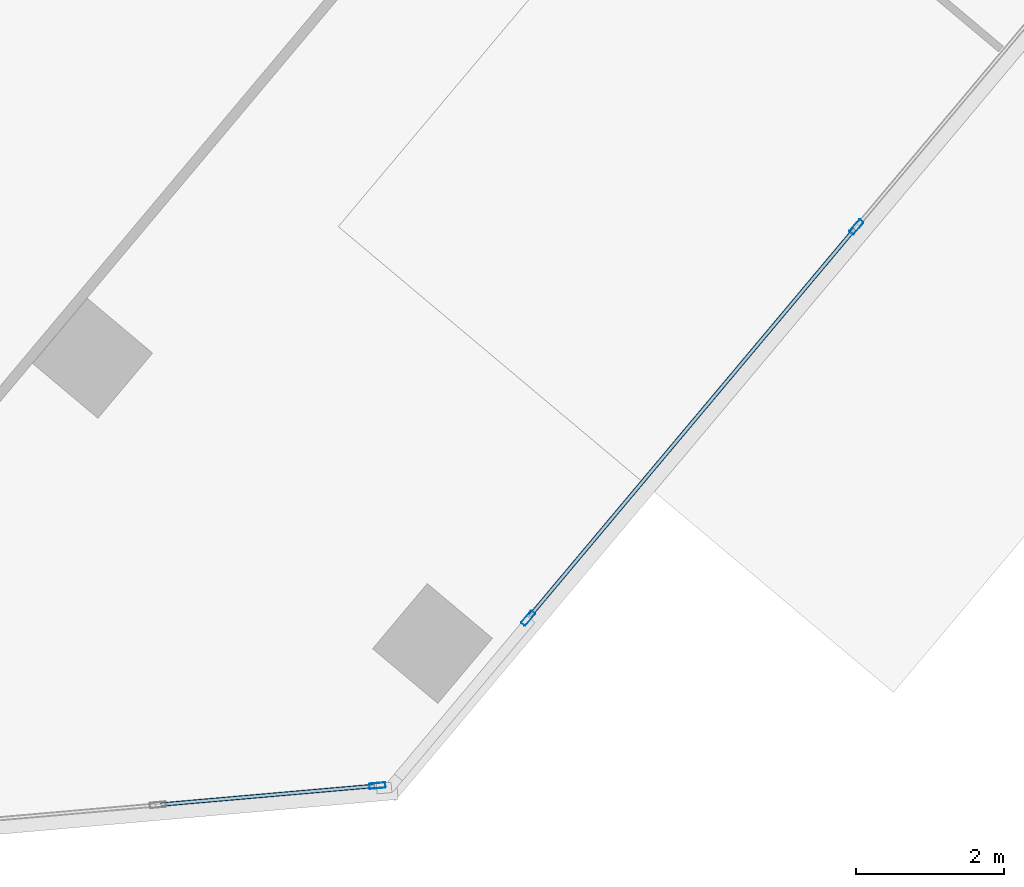
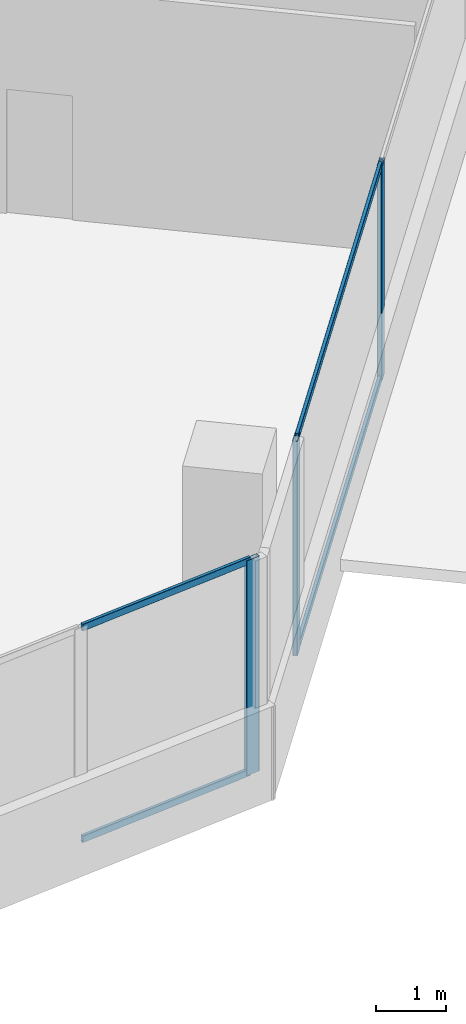
# One storey, part 5 of 17: 7 members, 2 elements without a shape of their own.
"""IFC4 building model written with IfcOpenShell, lengths in metres."""

import ifcopenshell
import ifcopenshell.guid

model = None  # the IFC model being written
_history = None  # IfcOwnerHistory: only IFC2X3 demands one
_inside = {}  # id of a spatial element -> (the spatial element, [elements in it])
_under = {}  # id of a project, library or spatial element -> (it, [spatial elements below it])
_declared = {}  # id of a project -> (the project, [libraries it declares])
_typed = {}  # id of a type object -> (the type object, [elements of that type])
_made_of = {}  # id of a material, layer set ... -> (it, [elements and type objects made of it])


def new_model(schema):
    """Start an empty IFC model of exactly this schema.

    Asked for "IFC4X3", IfcOpenShell would pick the latest addendum, in which some entities
    have other attributes; the version numbers below select the first issue.
    IFC2X3 requires an IfcOwnerHistory on every rooted entity: one is made here for all.
    """
    global model, _history
    if schema == "IFC4X3":
        model = ifcopenshell.file(schema_version=(4, 3, 0, 0))
    else:
        model = ifcopenshell.file(schema=schema)
    _inside.clear()
    _under.clear()
    _declared.clear()
    _typed.clear()
    _made_of.clear()
    _history = None
    if model.schema == "IFC2X3":
        org = make("IfcOrganization", Name="unknown")
        user = make(
            "IfcPersonAndOrganization",
            ThePerson=make("IfcPerson", FamilyName="unknown"),
            TheOrganization=org,
        )
        app = make(
            "IfcApplication",
            ApplicationDeveloper=org,
            Version="unknown",
            ApplicationFullName="unknown",
            ApplicationIdentifier="unknown",
        )
        _history = make(
            "IfcOwnerHistory",
            OwningUser=user,
            OwningApplication=app,
            ChangeAction="ADDED",
            CreationDate=0,
        )
    return model


def make(cls, **values):
    """One entity of the class cls with the attributes given. An attribute that is None is left unset."""
    return model.create_entity(
        cls, **{name: value for name, value in values.items() if value is not None}
    )


def rooted(cls, **values):
    """An entity with a GlobalId (a new one), such as an element, a storey or a relation."""
    return make(cls, GlobalId=ifcopenshell.guid.new(), OwnerHistory=_history, **values)


def si_unit(unit_type, name, prefix=None):
    """IfcSIUnit, for example si_unit("LENGTHUNIT", "METRE", prefix="MILLI")."""
    return make("IfcSIUnit", UnitType=unit_type, Prefix=prefix, Name=name)


def assignment(units):
    """IfcUnitAssignment: the units of a project."""
    return None if units is None else make("IfcUnitAssignment", Units=units)


def point(xyz):
    """IfcCartesianPoint."""
    return None if xyz is None else make("IfcCartesianPoint", Coordinates=xyz)


def direction(xyz):
    """IfcDirection."""
    return None if xyz is None else make("IfcDirection", DirectionRatios=xyz)


def frame(location, z_axis=None, x_axis=None):
    """IfcAxis2Placement3D, a coordinate frame: its origin and axes. An axis left out is left unset."""
    return make(
        "IfcAxis2Placement3D",
        Location=point(location),
        Axis=direction(z_axis),
        RefDirection=direction(x_axis),
    )


def frame_2d(location, x_axis=None):
    """IfcAxis2Placement2D, a coordinate frame in the plane: its origin and x axis."""
    return make(
        "IfcAxis2Placement2D", Location=point(location), RefDirection=direction(x_axis)
    )


def origin():
    """The frame at (0, 0, 0) with its axes left unset."""
    return frame((0.0, 0.0, 0.0))


def origin_2d():
    """The frame at (0, 0) in the plane with its x axis left unset."""
    return frame_2d((0.0, 0.0))


def place(relative_to, where):
    """IfcLocalPlacement: puts the frame where relative to a parent placement (None: the world)."""
    return make(
        "IfcLocalPlacement", PlacementRelTo=relative_to, RelativePlacement=where
    )


def context(
    kind, dimensions, precision=None, world=None, true_north=None, identifier=None
):
    """IfcGeometricRepresentationContext, for example the 3D "Model" context."""
    return make(
        "IfcGeometricRepresentationContext",
        ContextIdentifier=identifier,
        ContextType=kind,
        CoordinateSpaceDimension=dimensions,
        Precision=precision,
        WorldCoordinateSystem=world,
        TrueNorth=true_north,
    )


def subcontext(parent, identifier, kind, view, scale=None):
    """IfcGeometricRepresentationSubContext, for example "Body" below "Model"."""
    return make(
        "IfcGeometricRepresentationSubContext",
        ContextIdentifier=identifier,
        ContextType=kind,
        ParentContext=parent,
        TargetScale=scale,
        TargetView=view,
    )


def project(units=None, contexts=None):
    """IfcProject with its units and contexts."""
    return rooted(
        "IfcProject",
        Name="project",
        RepresentationContexts=contexts,
        UnitsInContext=assignment(units),
    )


def spatial(cls, under=None, at=None, **own):
    """A site, building, storey or space (cls), placed at a placement, below another one or the project."""
    s = rooted(cls, ObjectPlacement=at, **own)
    if under is not None:
        _under.setdefault(under.id(), (under, []))[1].append(s)
    return s


def profile(cls, at=None, kind="AREA", **sizes):
    """A parametric profile (cls). Its sizes go by their IFC names, for example OverallWidth=200.0."""
    return make(cls, ProfileType=kind, Position=at, **sizes)


def hollow_rectangle(**sizes):
    """IfcRectangleHollowProfileDef."""
    return profile("IfcRectangleHollowProfileDef", **sizes)


def extrude(swept, where, along, depth):
    """IfcExtrudedAreaSolid: the profile swept, set in the frame where, extruded along a direction by depth."""
    return make(
        "IfcExtrudedAreaSolid",
        SweptArea=swept,
        Position=where,
        ExtrudedDirection=direction(along),
        Depth=depth,
    )


def shape(context_of_items, identifier, shape_type, items):
    """IfcShapeRepresentation: the items that make up one representation, for example the "Body"."""
    return make(
        "IfcShapeRepresentation",
        ContextOfItems=context_of_items,
        RepresentationIdentifier=identifier,
        RepresentationType=shape_type,
        Items=items,
    )


def source(mapping_origin, context_of_items, identifier, shape_type, items):
    """IfcRepresentationMap: a shape defined once, which mapped items show again and again."""
    return make(
        "IfcRepresentationMap",
        MappingOrigin=mapping_origin,
        MappedRepresentation=shape(context_of_items, identifier, shape_type, items),
    )


def transform(
    local_origin,
    x_axis=None,
    y_axis=None,
    z_axis=None,
    scale=None,
    scale2=None,
    scale3=None,
    uniform=True,
):
    """IfcCartesianTransformationOperator3D, or its non-uniform kind. x_axis, y_axis, z_axis: its Axis1, 2, 3."""
    if uniform:
        return make(
            "IfcCartesianTransformationOperator3D",
            Axis1=direction(x_axis),
            Axis2=direction(y_axis),
            LocalOrigin=point(local_origin),
            Scale=scale,
            Axis3=direction(z_axis),
        )
    return make(
        "IfcCartesianTransformationOperator3DnonUniform",
        Axis1=direction(x_axis),
        Axis2=direction(y_axis),
        LocalOrigin=point(local_origin),
        Scale=scale,
        Axis3=direction(z_axis),
        Scale2=scale2,
        Scale3=scale3,
    )


def mapped(mapping_source, mapping_target):
    """IfcMappedItem: shows the shape of a source again, moved by a transform."""
    return make(
        "IfcMappedItem", MappingSource=mapping_source, MappingTarget=mapping_target
    )


def material(Name=None, Category=None):
    """IfcMaterial."""
    return make("IfcMaterial", Name=Name, Category=Category)


def material_profile(
    of_material, cross_section, Name=None, Category=None, Priority=None
):
    """IfcMaterialProfile: a cross section and its material."""
    return make(
        "IfcMaterialProfile",
        Name=Name,
        Material=of_material,
        Profile=cross_section,
        Priority=Priority,
        Category=Category,
    )


def profile_set(profiles, Name=None, composite=None):
    """IfcMaterialProfileSet."""
    return make(
        "IfcMaterialProfileSet",
        Name=Name,
        MaterialProfiles=profiles,
        CompositeProfile=composite,
    )


def made_of(thing, what):
    """Note that an element or type object is made of a material, layer set ...; save() writes the relation."""
    if what is not None:
        _made_of.setdefault(what.id(), (what, []))[1].append(thing)
    return thing


def type_object(cls, material=None, **own):
    """A type object (cls), such as IfcWallType, which elements share."""
    return made_of(rooted(cls, **own), material)


def element(
    cls,
    number,
    at=None,
    inside=None,
    cuts=None,
    type_object=None,
    material=None,
    context=None,
    identifier="Body",
    shape_type=None,
    held_by="IfcProductDefinitionShape",
    body=None,
    shapes=None,
    **own,
):
    """One element of the class cls, such as IfcWall. Its Tag is "e" and its number.

    at: its placement. inside: the storey or other place that contains it. cuts: it is an
    opening in that element (IfcRelVoidsElement). A single representation is given by context,
    identifier, shape_type and body (its items); several are given by shapes. held_by: the class
    of the entity that holds the representations. save() writes the other relations.
    """
    e = rooted(cls, Tag="e%d" % number, ObjectPlacement=at, **own)
    if body is not None:
        shapes = [shape(context, identifier, shape_type, body)]
    if shapes is not None:
        e.Representation = make(held_by, Representations=shapes)
    if inside is not None:
        _inside.setdefault(inside.id(), (inside, []))[1].append(e)
    if cuts is not None:
        rooted(
            "IfcRelVoidsElement", RelatingBuildingElement=cuts, RelatedOpeningElement=e
        )
    if type_object is not None:
        _typed.setdefault(type_object.id(), (type_object, []))[1].append(e)
    return made_of(e, material)


def aggregate(whole, parts):
    """IfcRelAggregates: a whole, such as a stair, and the parts it consists of."""
    return rooted("IfcRelAggregates", RelatingObject=whole, RelatedObjects=parts)


def save(model, path):
    """Write the relations noted so far, then the file.

    IfcRelAggregates (storeys below a building ...), IfcRelContainedInSpatialStructure (elements
    in a storey), IfcRelDefinesByType, IfcRelAssociatesMaterial and IfcRelDeclares: one each for
    every whole, place, type object, material and project.
    """
    for whole, parts in _under.values():
        aggregate(whole, parts)
    for where, things in _inside.values():
        rooted(
            "IfcRelContainedInSpatialStructure",
            RelatedElements=things,
            RelatingStructure=where,
        )
    for kind, things in _typed.values():
        rooted("IfcRelDefinesByType", RelatedObjects=things, RelatingType=kind)
    for what, things in _made_of.values():
        rooted("IfcRelAssociatesMaterial", RelatedObjects=things, RelatingMaterial=what)
    for by, libraries in _declared.values():
        rooted("IfcRelDeclares", RelatingContext=by, RelatedDefinitions=libraries)
    model.write(path)


model = new_model("IFC4")

# Units and contexts
model_context = context("Model", 3, precision=1e-05, world=origin(), true_north=direction((0.0, 1.0)))
body_context = subcontext(model_context, "Body", "Model", "MODEL_VIEW")
ifc_project = project(units=[si_unit("LENGTHUNIT", "METRE"), si_unit("AREAUNIT", "SQUARE_METRE"), si_unit("VOLUMEUNIT", "CUBIC_METRE"), si_unit("PLANEANGLEUNIT", "RADIAN"), si_unit("MASSUNIT", "GRAM", prefix="KILO")], contexts=[model_context])

# Site, building, storey
site_placement = place(None, origin())
site = spatial("IfcSite", under=ifc_project, at=site_placement, CompositionType="ELEMENT")
building_placement = place(site_placement, origin())
building = spatial("IfcBuilding", under=site, at=building_placement, Name="Torre Montelarca", CompositionType="ELEMENT")
storey_placement = place(building_placement, frame((0.0, 0.0, 220.60009765625)))
storey = spatial("IfcBuildingStorey", under=building, at=storey_placement, Name="L49", CompositionType="ELEMENT", Elevation=220.60009765625)

# Curtain wall, members
ifc_material_1 = material(Name="Insulated low-E laminated glass", Category="glass")
curtain_wall_type = type_object("IfcCurtainWallType", Name="CW-SYS-Z3", PredefinedType="USERDEFINED", material=ifc_material_1)
curtain_wall_1_placement = place(storey_placement, origin())
curtain_wall_1 = element("IfcCurtainWall", 1, at=curtain_wall_1_placement, inside=storey, type_object=curtain_wall_type, Name="L49 Curtain Wall Run CW-T3-L49-E05-B1", ObjectType="UNITISED GLAZING", PredefinedType="USERDEFINED")
ifc_material_2 = material(Name="Anodised aluminium AA 6063-T6", Category="aluminium")
ifc_material_profile_1 = material_profile(ifc_material_2, hollow_rectangle(XDim=0.054931640625, YDim=0.1201171875, WallThickness=0.00341796875, InnerFilletRadius=0.00341796875, OuterFilletRadius=0.007080078125, at=origin_2d()), Name="ALU55X120X3.5", Category="aluminium")
ifc_profile_set_1 = profile_set([ifc_material_profile_1], Name="Anodised aluminium AA 6063-T6")
member_type_1 = type_object("IfcMemberType", Name="CWT-ALU120", PredefinedType="USERDEFINED", material=ifc_profile_set_1)
shared_shape_1 = source(origin(), body_context, "Body", "SweptSolid", [
    extrude(hollow_rectangle(XDim=0.054931640625, YDim=0.1201171875, WallThickness=0.00341796875, InnerFilletRadius=0.00341796875, OuterFilletRadius=0.007080078125, at=origin_2d()), origin(), (0.0, 0.0, 1.0), 2.903564453125),
])
member_1_placement = place(storey_placement, frame((28.385986328125, 10.515869140625, 0.02734375), z_axis=(0.996191526826, 0.087191982893, 0.0), x_axis=(-0.087191982893, 0.996191526826, 0.0)))
member_1 = element("IfcMember", 2, at=member_1_placement, type_object=member_type_1, Name="CW transom 2.1", ObjectType="TRANSOM", PredefinedType="USERDEFINED", context=body_context, shape_type="MappedRepresentation", body=[
    mapped(shared_shape_1, transform((0.0, 0.0, 0.0), scale=1.0)),
])
member_2_placement = place(storey_placement, frame((28.385986328125, 10.515869140625, 3.6923828125), z_axis=(0.996191526826, 0.087191982893, 0.0), x_axis=(-0.087191982893, 0.996191526826, 0.0)))
member_2 = element("IfcMember", 3, at=member_2_placement, type_object=member_type_1, Name="CW transom 2.2", ObjectType="TRANSOM", PredefinedType="USERDEFINED", context=body_context, shape_type="MappedRepresentation", body=[
    mapped(shared_shape_1, transform((0.0, 0.0, 0.0), scale=1.0)),
])
ifc_material_profile_2 = material_profile(ifc_material_2, hollow_rectangle(XDim=0.074951171875, YDim=0.219970703125, WallThickness=0.0048828125, InnerFilletRadius=0.0048828125, OuterFilletRadius=0.010009765625, at=origin_2d()), Name="ALU75X220X5", Category="aluminium")
ifc_profile_set_2 = profile_set([ifc_material_profile_2], Name="Anodised aluminium AA 6063-T6")
member_type_2 = type_object("IfcMemberType", Name="CWM-ALU220", PredefinedType="MULLION", material=ifc_profile_set_2)
shared_shape_2 = source(origin(), body_context, "Body", "SweptSolid", [
    extrude(hollow_rectangle(XDim=0.074951171875, YDim=0.219970703125, WallThickness=0.0048828125, InnerFilletRadius=0.0048828125, OuterFilletRadius=0.010009765625, at=origin_2d()), origin(), (0.0, 0.0, 1.0), 3.719970703125),
])
member_3_placement = place(storey_placement, frame((31.31591796875, 10.772216796875, 0.0), z_axis=(0.0, 0.0, 1.0), x_axis=(-0.087181139731, 0.996192475817, 0.0)))
member_3 = element("IfcMember", 4, at=member_3_placement, type_object=member_type_2, Name="CW mullion 3", PredefinedType="MULLION", context=body_context, shape_type="MappedRepresentation", body=[
    mapped(shared_shape_2, transform((0.0, 0.0, 0.0), scale=1.0)),
])
aggregate(curtain_wall_1, [member_3, member_1, member_2])

curtain_wall_2_placement = place(storey_placement, origin())
curtain_wall_2 = element("IfcCurtainWall", 5, at=curtain_wall_2_placement, inside=storey, type_object=curtain_wall_type, Name="L49 Curtain Wall Run CW-T3-L49-E06-B1", ObjectType="UNITISED GLAZING", PredefinedType="USERDEFINED")
member_4_placement = place(storey_placement, frame((33.353759765625, 13.036376953125, 0.0), z_axis=(0.0, 0.0, 1.0), x_axis=(-0.766046418245, 0.642785255815, 0.0)))
member_4 = element("IfcMember", 6, at=member_4_placement, type_object=member_type_2, Name="CW mullion 1", PredefinedType="MULLION", context=body_context, shape_type="MappedRepresentation", body=[
    mapped(shared_shape_2, transform((0.0, 0.0, 0.0), scale=1.0)),
])
member_5_placement = place(storey_placement, frame((37.793701171875, 18.327880859375, 0.0), z_axis=(0.0, 0.0, 1.0), x_axis=(-0.766046418245, 0.642785255815, 0.0)))
member_5 = element("IfcMember", 7, at=member_5_placement, type_object=member_type_2, Name="CW mullion 2", PredefinedType="MULLION", context=body_context, shape_type="MappedRepresentation", body=[
    mapped(shared_shape_2, transform((0.0, 0.0, 0.0), scale=1.0)),
])
shared_shape_3 = source(origin(), body_context, "Body", "SweptSolid", [
    extrude(hollow_rectangle(XDim=0.054931640625, YDim=0.1201171875, WallThickness=0.00341796875, InnerFilletRadius=0.00341796875, OuterFilletRadius=0.007080078125, at=origin_2d()), origin(), (0.0, 0.0, 1.0), 6.832275390625),
])
member_6_placement = place(storey_placement, frame((33.3779296875, 13.065185546875, 0.02734375), z_axis=(0.642774652811, 0.766055315042, 0.0), x_axis=(-0.766055315042, 0.642774652811, 0.0)))
member_6 = element("IfcMember", 8, at=member_6_placement, type_object=member_type_1, Name="CW transom 1.1", ObjectType="TRANSOM", PredefinedType="USERDEFINED", context=body_context, shape_type="MappedRepresentation", body=[
    mapped(shared_shape_3, transform((0.0, 0.0, 0.0), scale=1.0)),
])
member_7_placement = place(storey_placement, frame((33.3779296875, 13.065185546875, 3.6923828125), z_axis=(0.642774652811, 0.766055315042, 0.0), x_axis=(-0.766055315042, 0.642774652811, 0.0)))
member_7 = element("IfcMember", 9, at=member_7_placement, type_object=member_type_1, Name="CW transom 1.2", ObjectType="TRANSOM", PredefinedType="USERDEFINED", context=body_context, shape_type="MappedRepresentation", body=[
    mapped(shared_shape_3, transform((0.0, 0.0, 0.0), scale=1.0)),
])
aggregate(curtain_wall_2, [member_4, member_5, member_6, member_7])

save(model, "model.ifc")
